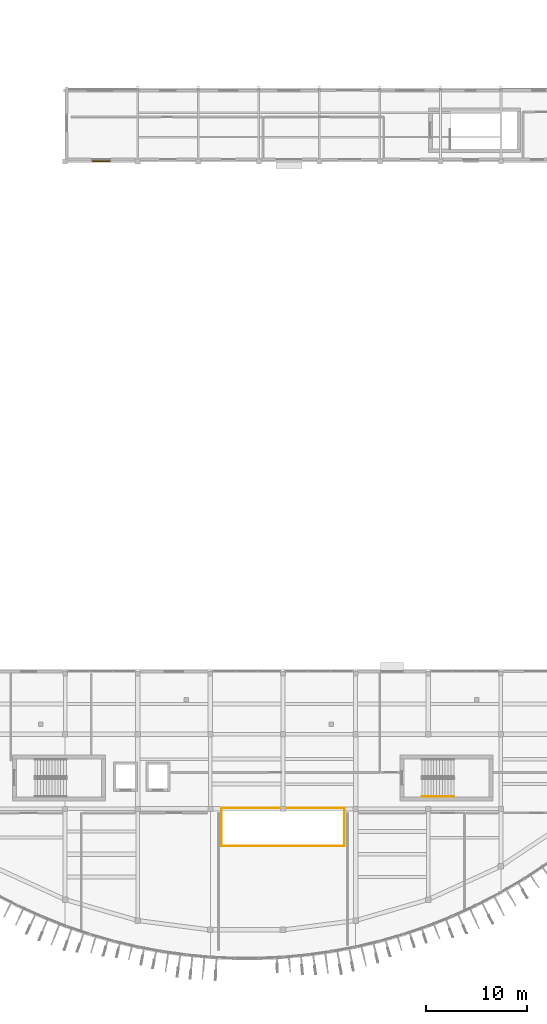
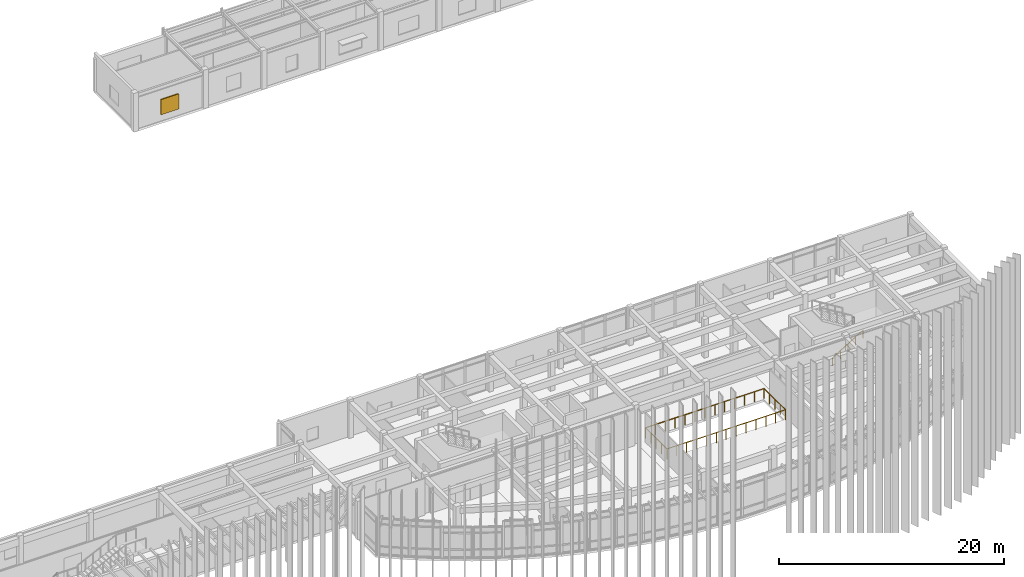
# One storey, part 45 of 47: 3 railings, 1 shading device.
"""IFC4 building model written with IfcOpenShell, lengths in metres."""

from ifc_helpers import new_model, si_unit, direction, frame, origin, origin_2d, place, context, subcontext, project, spatial, rectangle, circle, extrude, material, layer, layer_set, type_object, element, save


model = new_model("IFC4")

# Units and contexts
model_context = context("Model", 3, precision=1e-05, world=origin(), true_north=direction((0.0, 1.0)))
body_context = subcontext(model_context, "Body", "Model", "MODEL_VIEW")
ifc_project = project(units=[si_unit("LENGTHUNIT", "METRE"), si_unit("AREAUNIT", "SQUARE_METRE"), si_unit("VOLUMEUNIT", "CUBIC_METRE"), si_unit("PLANEANGLEUNIT", "RADIAN"), si_unit("MASSUNIT", "GRAM", prefix="KILO")], contexts=[model_context])

# Site, building, storey
site_placement = place(None, origin())
site = spatial("IfcSite", under=ifc_project, at=site_placement, CompositionType="ELEMENT")
building_placement = place(site_placement, origin())
building = spatial("IfcBuilding", under=site, at=building_placement, Name="Brisavento Harbour Community Centre", CompositionType="ELEMENT")
storey_placement = place(building_placement, frame((0.0, 0.0, 8.699951171875)))
storey = spatial("IfcBuildingStorey", under=building, at=storey_placement, Name="L02", CompositionType="ELEMENT", Elevation=8.699951171875)

# Railings
ifc_material_1 = material(Name="Stainless steel 1.4401", Category="steel")
railing_type_1 = type_object("IfcRailingType", Name="RL-ATR-BAL", PredefinedType="BALUSTRADE", material=ifc_material_1)
railing_1_placement = place(storey_placement, frame((137.89990234375, 11.300048828125, 0.0)))
element("IfcRailing", 1, at=railing_1_placement, inside=storey, type_object=railing_type_1, Name="L02 atrium and gallery balustrade BAL-V3-LW-1A", PredefinedType="BALUSTRADE", context=body_context, shape_type="SweptSolid", body=[
    extrude(circle(Radius=0.02392578125, at=origin_2d()), frame((0.0, 0.0, 1.09619140625), z_axis=(1.0, 0.0, 0.0), x_axis=(0.0, 1.0, 0.0)), (0.0, 0.0, 1.0), 12.2001953125),
    extrude(circle(Radius=0.02392578125, at=origin_2d()), frame((12.2001953125, 0.0, 1.09619140625), z_axis=(0.0, 1.0, 0.0), x_axis=(-1.0, 0.0, 0.0)), (0.0, 0.0, 1.0), 3.800048828125),
    extrude(circle(Radius=0.02099609375, at=origin_2d()), origin(), (0.0, 0.0, 1.0), 1.072021484375),
    extrude(circle(Radius=0.02099609375, at=origin_2d()), frame((1.0166015625, 0.0, 0.0)), (0.0, 0.0, 1.0), 1.072021484375),
    extrude(circle(Radius=0.02099609375, at=origin_2d()), frame((2.033447265625, 0.0, 0.0)), (0.0, 0.0, 1.0), 1.072021484375),
    extrude(circle(Radius=0.02099609375, at=origin_2d()), frame((3.050048828125, 0.0, 0.0)), (0.0, 0.0, 1.0), 1.072021484375),
    extrude(circle(Radius=0.02099609375, at=origin_2d()), frame((4.066650390625, 0.0, 0.0)), (0.0, 0.0, 1.0), 1.072021484375),
    extrude(circle(Radius=0.02099609375, at=origin_2d()), frame((5.08349609375, 0.0, 0.0)), (0.0, 0.0, 1.0), 1.072021484375),
    extrude(circle(Radius=0.02099609375, at=origin_2d()), frame((6.10009765625, 0.0, 0.0)), (0.0, 0.0, 1.0), 1.072021484375),
    extrude(circle(Radius=0.02099609375, at=origin_2d()), frame((7.11669921875, 0.0, 0.0)), (0.0, 0.0, 1.0), 1.072021484375),
    extrude(circle(Radius=0.02099609375, at=origin_2d()), frame((8.133544921875, 0.0, 0.0)), (0.0, 0.0, 1.0), 1.072021484375),
    extrude(circle(Radius=0.02099609375, at=origin_2d()), frame((9.150146484375, 0.0, 0.0)), (0.0, 0.0, 1.0), 1.072021484375),
    extrude(circle(Radius=0.02099609375, at=origin_2d()), frame((10.166748046875, 0.0, 0.0)), (0.0, 0.0, 1.0), 1.072021484375),
    extrude(circle(Radius=0.02099609375, at=origin_2d()), frame((11.18359375, 0.0, 0.0)), (0.0, 0.0, 1.0), 1.072021484375),
    extrude(circle(Radius=0.02099609375, at=origin_2d()), frame((12.2001953125, 0.0, 0.0)), (0.0, 0.0, 1.0), 1.072021484375),
    extrude(circle(Radius=0.02099609375, at=origin_2d()), frame((12.2001953125, 0.949951171875, 0.0)), (0.0, 0.0, 1.0), 1.072021484375),
    extrude(circle(Radius=0.02099609375, at=origin_2d()), frame((12.2001953125, 1.89990234375, 0.0)), (0.0, 0.0, 1.0), 1.072021484375),
    extrude(circle(Radius=0.02099609375, at=origin_2d()), frame((12.2001953125, 2.85009765625, 0.0)), (0.0, 0.0, 1.0), 1.072021484375),
    extrude(circle(Radius=0.02099609375, at=origin_2d()), frame((12.2001953125, 3.800048828125, 0.0)), (0.0, 0.0, 1.0), 1.072021484375),
])
railing_2_placement = place(storey_placement, frame((150.10009765625, 15.10009765625, 0.0)))
element("IfcRailing", 2, at=railing_2_placement, inside=storey, type_object=railing_type_1, Name="L02 atrium and gallery balustrade BAL-V3-LW-1B", PredefinedType="BALUSTRADE", context=body_context, shape_type="SweptSolid", body=[
    extrude(circle(Radius=0.02392578125, at=origin_2d()), frame((0.0, 0.0, 1.09619140625), z_axis=(-1.0, 0.0, 0.0), x_axis=(0.0, -1.0, 0.0)), (0.0, 0.0, 1.0), 12.2001953125),
    extrude(circle(Radius=0.02392578125, at=origin_2d()), frame((-12.2001953125, 0.0, 1.09619140625), z_axis=(0.0, -1.0, 0.0), x_axis=(1.0, 0.0, 0.0)), (0.0, 0.0, 1.0), 3.800048828125),
    extrude(circle(Radius=0.02099609375, at=origin_2d()), origin(), (0.0, 0.0, 1.0), 1.072021484375),
    extrude(circle(Radius=0.02099609375, at=origin_2d()), frame((-1.0166015625, 0.0, 0.0)), (0.0, 0.0, 1.0), 1.072021484375),
    extrude(circle(Radius=0.02099609375, at=origin_2d()), frame((-2.033447265625, 0.0, 0.0)), (0.0, 0.0, 1.0), 1.072021484375),
    extrude(circle(Radius=0.02099609375, at=origin_2d()), frame((-3.050048828125, 0.0, 0.0)), (0.0, 0.0, 1.0), 1.072021484375),
    extrude(circle(Radius=0.02099609375, at=origin_2d()), frame((-4.066650390625, 0.0, 0.0)), (0.0, 0.0, 1.0), 1.072021484375),
    extrude(circle(Radius=0.02099609375, at=origin_2d()), frame((-5.08349609375, 0.0, 0.0)), (0.0, 0.0, 1.0), 1.072021484375),
    extrude(circle(Radius=0.02099609375, at=origin_2d()), frame((-6.10009765625, 0.0, 0.0)), (0.0, 0.0, 1.0), 1.072021484375),
    extrude(circle(Radius=0.02099609375, at=origin_2d()), frame((-7.11669921875, 0.0, 0.0)), (0.0, 0.0, 1.0), 1.072021484375),
    extrude(circle(Radius=0.02099609375, at=origin_2d()), frame((-8.133544921875, 0.0, 0.0)), (0.0, 0.0, 1.0), 1.072021484375),
    extrude(circle(Radius=0.02099609375, at=origin_2d()), frame((-9.150146484375, 0.0, 0.0)), (0.0, 0.0, 1.0), 1.072021484375),
    extrude(circle(Radius=0.02099609375, at=origin_2d()), frame((-10.166748046875, 0.0, 0.0)), (0.0, 0.0, 1.0), 1.072021484375),
    extrude(circle(Radius=0.02099609375, at=origin_2d()), frame((-11.18359375, 0.0, 0.0)), (0.0, 0.0, 1.0), 1.072021484375),
    extrude(circle(Radius=0.02099609375, at=origin_2d()), frame((-12.2001953125, 0.0, 0.0)), (0.0, 0.0, 1.0), 1.072021484375),
    extrude(circle(Radius=0.02099609375, at=origin_2d()), frame((-12.2001953125, -0.949951171875, 0.0)), (0.0, 0.0, 1.0), 1.072021484375),
    extrude(circle(Radius=0.02099609375, at=origin_2d()), frame((-12.2001953125, -1.89990234375, 0.0)), (0.0, 0.0, 1.0), 1.072021484375),
    extrude(circle(Radius=0.02099609375, at=origin_2d()), frame((-12.2001953125, -2.85009765625, 0.0)), (0.0, 0.0, 1.0), 1.072021484375),
    extrude(circle(Radius=0.02099609375, at=origin_2d()), frame((-12.2001953125, -3.800048828125, 0.0)), (0.0, 0.0, 1.0), 1.072021484375),
])
railing_type_2 = type_object("IfcRailingType", Name="RL-ST-HAND", PredefinedType="HANDRAIL", material=ifc_material_1)
railing_3_placement = place(storey_placement, frame((157.800048828125, 16.25, 0.175048828125)))
element("IfcRailing", 3, at=railing_3_placement, inside=storey, type_object=railing_type_2, Name="L02 ST-05 stair handrail 1", PredefinedType="HANDRAIL", context=body_context, shape_type="SweptSolid", body=[
    extrude(circle(Radius=0.02392578125, at=origin_2d()), frame((0.0, 0.0, 0.8759765625), z_axis=(0.852166034122, 0.0, 0.523271488128), x_axis=(0.0, 1.0, 0.0)), (0.0, 0.0, 1.0), 3.678955078125),
    extrude(circle(Radius=0.02099609375, at=origin_2d()), origin(), (0.0, 0.0, 1.0), 0.851806640625),
    extrude(circle(Radius=0.02099609375, at=origin_2d()), frame((0.78369140625, 0.0, 0.481201171875)), (0.0, 0.0, 1.0), 0.851806640625),
    extrude(circle(Radius=0.02099609375, at=origin_2d()), frame((1.5673828125, 0.0, 0.96240234375)), (0.0, 0.0, 1.0), 0.851806640625),
    extrude(circle(Radius=0.02099609375, at=origin_2d()), frame((2.351318359375, 0.0, 1.44384765625)), (0.0, 0.0, 1.0), 0.851806640625),
    extrude(circle(Radius=0.02099609375, at=origin_2d()), frame((3.135009765625, 0.0, 1.925048828125)), (0.0, 0.0, 1.0), 0.851806640625),
])

# Shading device
ifc_material_2 = material(Name="Marine-anodised aluminium AW-6063-T6", Category="aluminium")
ifc_layer = layer(ifc_material_2, 0.1201171875, Name="Marine-anodised aluminium AW-6063-T6")
ifc_layer_set = layer_set([ifc_layer], Name="Marine-anodised aluminium AW-6063-T6")
shading_device_type = type_object("IfcShadingDeviceType", Name="SHD-LOUVRE", PredefinedType="JALOUSIE", material=ifc_layer_set)
shading_device_placement = place(storey_placement, frame((126.0, 79.195068359375, 0.75), z_axis=(0.0, 0.0, 1.0), x_axis=(-1.0, 0.0, 0.0)))
element("IfcShadingDevice", 4, at=shading_device_placement, inside=storey, type_object=shading_device_type, Name="L02 hurricane storm louvre 36", PredefinedType="JALOUSIE", context=body_context, shape_type="SweptSolid", body=[
    extrude(rectangle(XDim=1.800048828125, YDim=0.1201171875, at=origin_2d()), origin(), (0.0, 0.0, 1.0), 1.64990234375),
])

save(model, "model.ifc")
